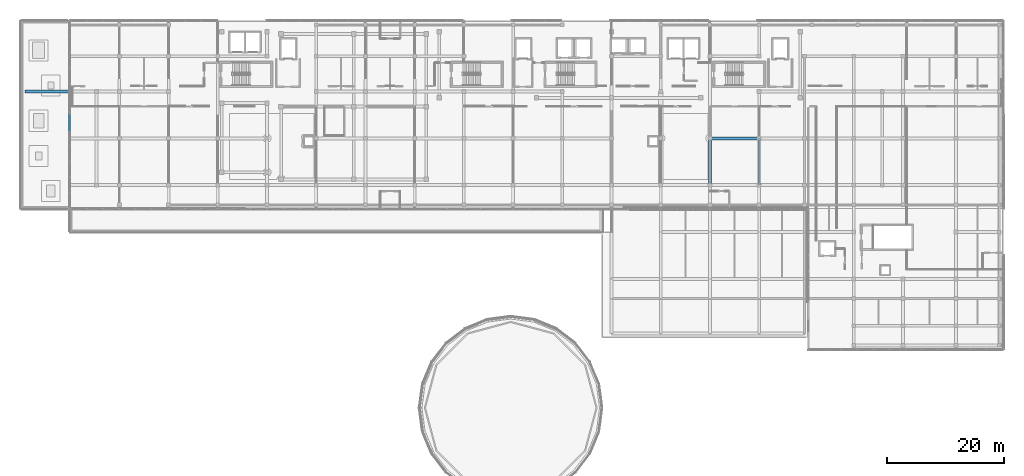
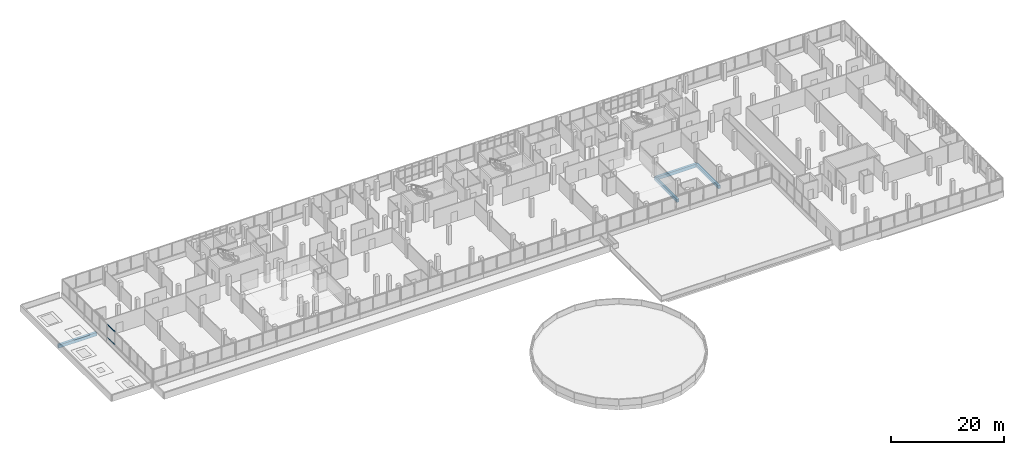
# One storey, part 22 of 78: 4 beams, 2 members, 1 element without a shape of its own.
"""IFC4 building model written with IfcOpenShell, lengths in metres."""

from ifc_helpers import new_model, si_unit, direction, frame, origin, origin_2d, place, context, subcontext, project, spatial, rectangle, hollow_rectangle, extrude, material, material_profile, profile_set, type_object, element, aggregate, save


model = new_model("IFC4")

# Units and contexts
model_context = context("Model", 3, precision=1e-05, world=origin(), true_north=direction((0.0, 1.0)))
body_context = subcontext(model_context, "Body", "Model", "MODEL_VIEW")
ifc_project = project(units=[si_unit("LENGTHUNIT", "METRE"), si_unit("AREAUNIT", "SQUARE_METRE"), si_unit("VOLUMEUNIT", "CUBIC_METRE"), si_unit("PLANEANGLEUNIT", "RADIAN"), si_unit("MASSUNIT", "GRAM", prefix="KILO")], contexts=[model_context])

# Site, building, storey
site_placement = place(None, origin())
site = spatial("IfcSite", under=ifc_project, at=site_placement, CompositionType="ELEMENT")
building_placement = place(site_placement, origin())
building = spatial("IfcBuilding", under=site, at=building_placement, Name="Selatvlak General Hospital", CompositionType="ELEMENT")
storey_placement = place(building_placement, frame((0.0, 0.0, 23.25)))
storey = spatial("IfcBuildingStorey", under=building, at=storey_placement, Name="L05", CompositionType="ELEMENT", Elevation=23.25)

# Beams
ifc_material_1 = material(Name="Concrete C40/50", Category="concrete")
ifc_material_profile_1 = material_profile(ifc_material_1, rectangle(XDim=0.5, YDim=0.699951171875, at=origin_2d()), Name="RC-BM 500x700")
ifc_profile_set_1 = profile_set([ifc_material_profile_1], Name="Concrete C40/50")
beam_type_1 = type_object("IfcBeamType", Name="BM-G03", PredefinedType="BEAM", material=ifc_profile_set_1)
beam_1_placement = place(storey_placement, frame((132.0, 100.0, -0.6298828125), z_axis=(1.0, 0.0, 0.0), x_axis=(0.0, 1.0, 0.0)))
element("IfcBeam", 1, at=beam_1_placement, inside=storey, type_object=beam_type_1, Name="Beam BMR-L05-1935", PredefinedType="BEAM", context=body_context, shape_type="SweptSolid", body=[
    extrude(rectangle(XDim=0.5, YDim=0.699951171875, at=origin_2d()), origin(), (0.0, 0.0, 1.0), 8.39990234375),
])
beam_2_placement = place(storey_placement, frame((15.050048828125, 108.0, -0.632080078125), z_axis=(1.0, 0.0, 0.0), x_axis=(0.0, 1.0, 0.0)))
element("IfcBeam", 2, at=beam_2_placement, inside=storey, type_object=beam_type_1, Name="Beam BMR-L05-1946", PredefinedType="BEAM", context=body_context, shape_type="SweptSolid", body=[
    extrude(rectangle(XDim=0.5, YDim=0.699951171875, at=origin_2d()), origin(), (0.0, 0.0, 1.0), 7.75),
])
ifc_material_profile_2 = material_profile(ifc_material_1, rectangle(XDim=0.449951171875, YDim=0.64990234375, at=origin_2d()), Name="RC-BM 450x650")
ifc_profile_set_2 = profile_set([ifc_material_profile_2], Name="Concrete C40/50")
beam_type_2 = type_object("IfcBeamType", Name="BM-G04", PredefinedType="BEAM", material=ifc_profile_set_2)
for number, where, z_axis, x_axis, name in (
    (3, (132.0, 92.0, -0.60498046875), (0.0, 1.0, 0.0), (-1.0, 0.0, 0.0), "Beam BMR-L05-2059"),
    (4, (140.39990234375, 92.0, -0.60498046875), (0.0, 1.0, 0.0), (-1.0, 0.0, 0.0), "Beam BMR-L05-2067"),
):
    element("IfcBeam", number, at=place(storey_placement, frame(where, z_axis=z_axis, x_axis=x_axis)), inside=storey, type_object=beam_type_2, Name=name, PredefinedType="BEAM", context=body_context, shape_type="SweptSolid", body=[
        extrude(rectangle(XDim=0.449951171875, YDim=0.64990234375, at=origin_2d()), origin(), (0.0, 0.0, 1.0), 8.0),
    ])

# Curtain wall, members
ifc_material_2 = material(Name="Solar-control Low-E double glazing", Category="glass")
curtain_wall_type = type_object("IfcCurtainWallType", Name="CW-CW-02", PredefinedType="USERDEFINED", material=ifc_material_2)
curtain_wall_placement = place(storey_placement, origin())
curtain_wall = element("IfcCurtainWall", 5, at=curtain_wall_placement, inside=storey, type_object=curtain_wall_type, Name="Glazed facade curtain wall CW-L05-0544", ObjectType="UNITISED CURTAIN WALL", PredefinedType="USERDEFINED")
ifc_material_3 = material(Name="Dark anodised aluminium mullion", Category="aluminium")
ifc_material_profile_3 = material_profile(ifc_material_3, hollow_rectangle(XDim=0.06494140625, YDim=0.1201171875, WallThickness=0.00390625, at=origin_2d()), Name="AL-TRN 65x120x4")
ifc_profile_set_3 = profile_set([ifc_material_profile_3], Name="Dark anodised aluminium mullion")
member_type = type_object("IfcMemberType", Name="CWT-01", PredefinedType="USERDEFINED", material=ifc_profile_set_3)
member_1_placement = place(storey_placement, frame((22.800048828125, 101.376953125, 0.972412109375), z_axis=(0.0, 1.0, 0.0), x_axis=(-1.0, 0.0, 0.0)))
member_1 = element("IfcMember", 6, at=member_1_placement, type_object=member_type, Name="CW-02 transom 3.1", ObjectType="TRANSOM", PredefinedType="USERDEFINED", context=body_context, shape_type="SweptSolid", body=[
    extrude(hollow_rectangle(XDim=0.06494140625, YDim=0.1201171875, WallThickness=0.00390625, at=origin_2d()), origin(), (0.0, 0.0, 1.0), 2.5419921875),
])
member_2_placement = place(storey_placement, frame((22.800048828125, 101.376953125, 3.742431640625), z_axis=(0.0, 1.0, 0.0), x_axis=(-1.0, 0.0, 0.0)))
member_2 = element("IfcMember", 7, at=member_2_placement, type_object=member_type, Name="CW-02 transom 3.2", ObjectType="TRANSOM", PredefinedType="USERDEFINED", context=body_context, shape_type="SweptSolid", body=[
    extrude(hollow_rectangle(XDim=0.06494140625, YDim=0.1201171875, WallThickness=0.00390625, at=origin_2d()), origin(), (0.0, 0.0, 1.0), 2.5419921875),
])
aggregate(curtain_wall, [member_1, member_2])

save(model, "model.ifc")
